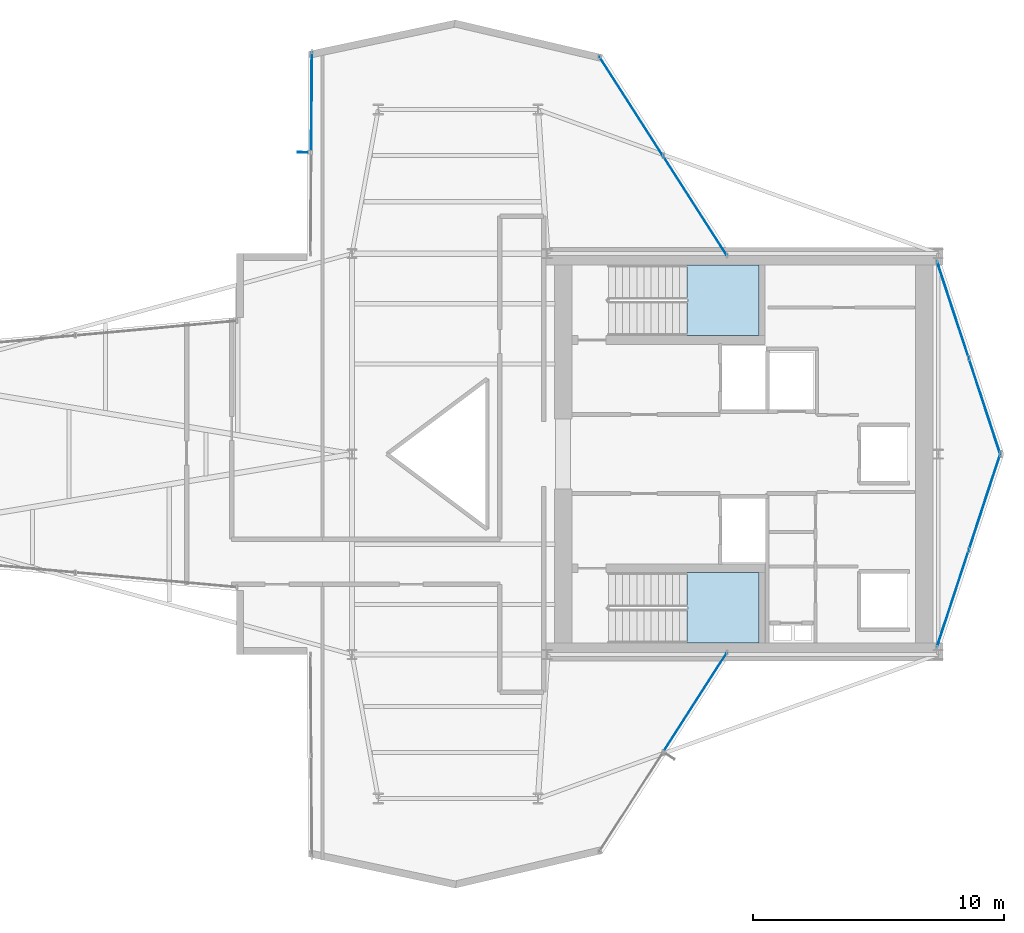
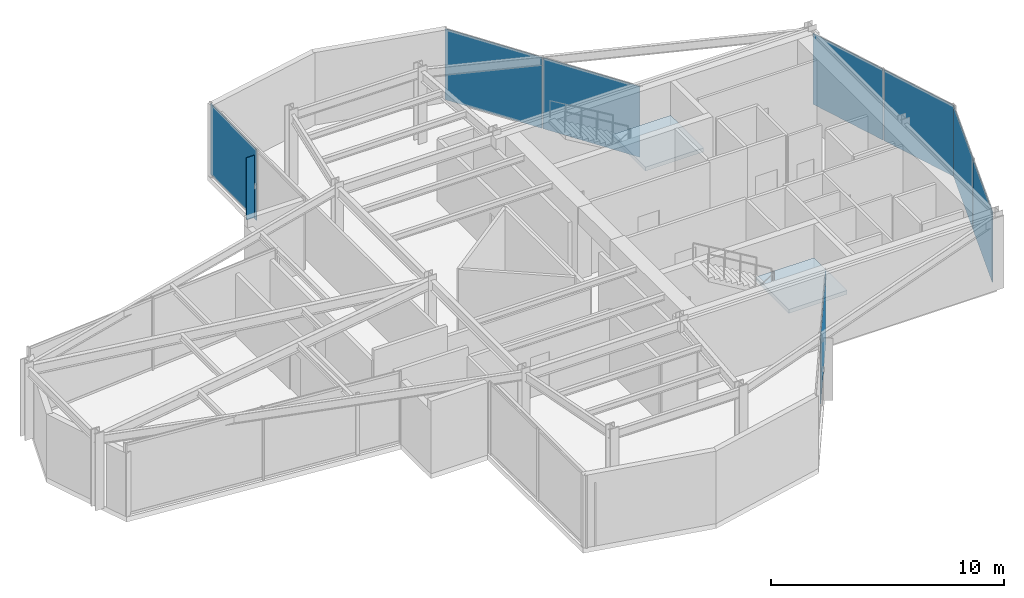
# One storey, part 20 of 23: 9 plates, 2 slabs, 7 elements without a shape of their own.
"""IFC4 building model written with IfcOpenShell, lengths in metres."""

from ifc_helpers import new_model, si_unit, direction, frame, origin, origin_2d, place, context, subcontext, project, spatial, polyline, rectangle, outline, extrude, material, layer, layer_set, type_object, element, aggregate, save


model = new_model("IFC4")

# Units and contexts
model_context = context("Model", 3, precision=1e-05, world=origin(), true_north=direction((0.0, 1.0)))
body_context = subcontext(model_context, "Body", "Model", "MODEL_VIEW")
ifc_project = project(units=[si_unit("LENGTHUNIT", "METRE"), si_unit("AREAUNIT", "SQUARE_METRE"), si_unit("VOLUMEUNIT", "CUBIC_METRE"), si_unit("PLANEANGLEUNIT", "RADIAN"), si_unit("MASSUNIT", "GRAM", prefix="KILO")], contexts=[model_context])

# Site, building, storey
site_placement = place(None, origin())
site = spatial("IfcSite", under=ifc_project, at=site_placement, CompositionType="ELEMENT")
building_placement = place(site_placement, origin())
building = spatial("IfcBuilding", under=site, at=building_placement, Name="Veymaron Broadcast Tower", CompositionType="ELEMENT")
storey_placement = place(building_placement, frame((0.0, 0.0, 195.89990234375)))
storey = spatial("IfcBuildingStorey", under=building, at=storey_placement, Name="L45", CompositionType="ELEMENT", Elevation=195.89990234375)

# Curtain wall, plates
ifc_material_1 = material(Name="Anodised aluminium AA 6063-T6 and laminated low-E dark glass", Category="aluminium")
ifc_layer_1 = layer(ifc_material_1, 0.179931640625)
ifc_layer_set_1 = layer_set([ifc_layer_1], Name="Anodised aluminium AA 6063-T6 and laminated low-E dark glass")
curtain_wall_type = type_object("IfcCurtainWallType", Name="CW-SYS-05", PredefinedType="NOTDEFINED", material=ifc_layer_set_1)
curtain_wall_1_placement = place(storey_placement, origin())
curtain_wall_1 = element("IfcCurtainWall", 1, at=curtain_wall_1_placement, inside=storey, type_object=curtain_wall_type, Name="L45 dark-glass curtain wall CW-L45-E2-1", PredefinedType="NOTDEFINED")
ifc_material_2 = material(Name="Double-silver solar-control dark glass IGU 32 mm", Category="glass")
ifc_layer_2 = layer(ifc_material_2, 0.031982421875)
ifc_layer_set_2 = layer_set([ifc_layer_2], Name="Double-silver solar-control dark glass IGU 32 mm")
plate_type_1 = type_object("IfcPlateType", Name="CW-PNL-02", PredefinedType="CURTAIN_PANEL", material=ifc_layer_set_2)
plate_1_placement = place(storey_placement, frame((55.18359375, 18.227294921875, 0.0400390625), z_axis=(0.0, 0.0, 1.0), x_axis=(0.311771138789, 0.950157227525, 0.0)))
plate_1 = element("IfcPlate", 2, at=plate_1_placement, type_object=plate_type_1, Name="CW-L45-E2-1 unitised curtain panel 0", PredefinedType="CURTAIN_PANEL", context=body_context, shape_type="SweptSolid", body=[
    extrude(rectangle(XDim=4.02099609375, YDim=0.031982421875, at=origin_2d()), origin(), (0.0, 0.0, 1.0), 3.7099609375),
])
plate_2_placement = place(storey_placement, frame((56.455810546875, 22.104736328125, 0.0400390625), z_axis=(0.0, 0.0, 1.0), x_axis=(0.311771138789, 0.950157227525, 0.0)))
plate_2 = element("IfcPlate", 3, at=plate_2_placement, type_object=plate_type_1, Name="CW-L45-E2-1 unitised curtain panel 1", PredefinedType="CURTAIN_PANEL", context=body_context, shape_type="SweptSolid", body=[
    extrude(rectangle(XDim=4.02099609375, YDim=0.031982421875, at=origin_2d()), origin(), (0.0, 0.0, 1.0), 3.7099609375),
])
aggregate(curtain_wall_1, [plate_1, plate_2])

curtain_wall_2_placement = place(storey_placement, origin())
curtain_wall_2 = element("IfcCurtainWall", 4, at=curtain_wall_2_placement, inside=storey, type_object=curtain_wall_type, Name="L45 dark-glass curtain wall CW-L45-E3-1", PredefinedType="NOTDEFINED")
plate_3_placement = place(storey_placement, frame((56.455810546875, 25.895263671875, 0.0400390625), z_axis=(0.0, 0.0, 1.0), x_axis=(-0.311771138789, 0.950157227525, 0.0)))
plate_3 = element("IfcPlate", 5, at=plate_3_placement, type_object=plate_type_1, Name="CW-L45-E3-1 unitised curtain panel 0", PredefinedType="CURTAIN_PANEL", context=body_context, shape_type="SweptSolid", body=[
    extrude(rectangle(XDim=4.02099609375, YDim=0.031982421875, at=origin_2d()), origin(), (0.0, 0.0, 1.0), 3.7099609375),
])
plate_4_placement = place(storey_placement, frame((55.18359375, 29.772705078125, 0.0400390625), z_axis=(0.0, 0.0, 1.0), x_axis=(-0.311771138789, 0.950157227525, 0.0)))
plate_4 = element("IfcPlate", 6, at=plate_4_placement, type_object=plate_type_1, Name="CW-L45-E3-1 unitised curtain panel 1", PredefinedType="CURTAIN_PANEL", context=body_context, shape_type="SweptSolid", body=[
    extrude(rectangle(XDim=4.02099609375, YDim=0.031982421875, at=origin_2d()), origin(), (0.0, 0.0, 1.0), 3.7099609375),
])
aggregate(curtain_wall_2, [plate_3, plate_4])

curtain_wall_3_placement = place(storey_placement, origin())
curtain_wall_3 = element("IfcCurtainWall", 7, at=curtain_wall_3_placement, inside=storey, type_object=curtain_wall_type, Name="L45 dark-glass curtain wall CW-L45-E5-1", PredefinedType="NOTDEFINED")
plate_5_placement = place(storey_placement, frame((44.89404296875, 33.911865234375, 0.0400390625), z_axis=(0.0, 0.0, 1.0), x_axis=(-0.539961235236, 0.841689886147, 0.0)))
plate_5 = element("IfcPlate", 8, at=plate_5_placement, type_object=plate_type_1, Name="CW-L45-E5-1 unitised curtain panel 0", PredefinedType="CURTAIN_PANEL", context=body_context, shape_type="SweptSolid", body=[
    extrude(rectangle(XDim=4.66259765625, YDim=0.031982421875, at=origin_2d()), origin(), (0.0, 0.0, 1.0), 3.7099609375),
])
plate_6_placement = place(storey_placement, frame((42.343994140625, 37.886962890625, 0.0400390625), z_axis=(0.0, 0.0, 1.0), x_axis=(-0.539961235236, 0.841689886147, 0.0)))
plate_6 = element("IfcPlate", 9, at=plate_6_placement, type_object=plate_type_1, Name="CW-L45-E5-1 unitised curtain panel 1", PredefinedType="CURTAIN_PANEL", context=body_context, shape_type="SweptSolid", body=[
    extrude(rectangle(XDim=4.66259765625, YDim=0.031982421875, at=origin_2d()), origin(), (0.0, 0.0, 1.0), 3.7099609375),
])
aggregate(curtain_wall_3, [plate_5, plate_6])

# Curtain wall, plate
curtain_wall_4_placement = place(storey_placement, origin())
curtain_wall_4 = element("IfcCurtainWall", 10, at=curtain_wall_4_placement, inside=storey, type_object=curtain_wall_type, Name="L45 dark-glass curtain wall CW-L45-E8-1", PredefinedType="NOTDEFINED")
plate_7_placement = place(storey_placement, frame((29.5888671875, 38.055419921875, 0.0400390625), z_axis=(0.0, 0.0, 1.0), x_axis=(-0.007138336016, -0.999974521755, 0.0)))
plate_7 = element("IfcPlate", 11, at=plate_7_placement, type_object=plate_type_1, Name="CW-L45-E8-1 unitised curtain panel 0", PredefinedType="CURTAIN_PANEL", context=body_context, shape_type="SweptSolid", body=[
    extrude(rectangle(XDim=3.9775390625, YDim=0.031982421875, at=origin_2d()), origin(), (0.0, 0.0, 1.0), 3.7099609375),
])
aggregate(curtain_wall_4, [plate_7])

curtain_wall_5_placement = place(storey_placement, origin())
curtain_wall_5 = element("IfcCurtainWall", 12, at=curtain_wall_5_placement, inside=storey, type_object=curtain_wall_type, Name="L45 dark-glass curtain wall CW-L45-E20-1", PredefinedType="NOTDEFINED")
plate_8_placement = place(storey_placement, frame((44.89404296875, 14.088134765625, 0.0400390625), z_axis=(0.0, 0.0, 1.0), x_axis=(0.539961235236, 0.841689886147, 0.0)))
plate_8 = element("IfcPlate", 13, at=plate_8_placement, type_object=plate_type_1, Name="CW-L45-E20-1 unitised curtain panel 1", PredefinedType="CURTAIN_PANEL", context=body_context, shape_type="SweptSolid", body=[
    extrude(rectangle(XDim=4.66259765625, YDim=0.031982421875, at=origin_2d()), origin(), (0.0, 0.0, 1.0), 3.7099609375),
])
aggregate(curtain_wall_5, [plate_8])

# Plate
ifc_material_3 = material(Name="Dark-anodised aluminium AA 6061-T6", Category="aluminium")
ifc_layer_3 = layer(ifc_material_3, 0.031982421875)
ifc_layer_set_3 = layer_set([ifc_layer_3], Name="Dark-anodised aluminium AA 6061-T6")
plate_type_2 = type_object("IfcPlateType", Name="FIN-CHEV-03", PredefinedType="USERDEFINED", material=ifc_layer_set_3)
plate_9_placement = place(storey_placement, frame((29.244384765625, 36.038818359375, 0.26513671875), z_axis=(0.0, 0.0, 1.0), x_axis=(-0.999974521755, 0.007138336016, 0.0)))
element("IfcPlate", 14, at=plate_9_placement, inside=storey, type_object=plate_type_2, Name="CW-L45-E8-1 chevron fin 1", ObjectType="FIN", PredefinedType="USERDEFINED", context=body_context, shape_type="SweptSolid", body=[
    extrude(rectangle(XDim=0.39990234375, YDim=0.034912109375, at=origin_2d()), origin(), (0.0, 0.0, 1.0), 3.259521484375),
])

# Stair, slab
ifc_material_4 = material(Name="Concrete C50/60", Category="concrete")
stair_type_1 = type_object("IfcStairType", Name="STAIR-CORE-1", PredefinedType="HALF_TURN_STAIR", material=ifc_material_4)
stair_1_placement = place(storey_placement, origin())
stair_1 = element("IfcStair", 15, at=stair_1_placement, inside=storey, type_object=stair_type_1, Name="L45 North protected dog-leg exit stair ST1", PredefinedType="HALF_TURN_STAIR")
ifc_layer_4 = layer(ifc_material_4, 0.199951171875)
ifc_layer_set_4 = layer_set([ifc_layer_4], Name="Concrete C50/60")
slab_type = type_object("IfcSlabType", Name="SLAB-STAIR-LDG", PredefinedType="LANDING", material=ifc_layer_set_4)
slab_1_placement = place(storey_placement, frame((0.0, 0.0, 1.8251953125)))
slab_1 = element("IfcSlab", 16, at=slab_1_placement, type_object=slab_type, Name="ST1 landing 1", PredefinedType="LANDING", context=body_context, shape_type="SweptSolid", body=[
    extrude(outline(polyline([(44.56494140625, 28.72998046875), (47.43994140625, 28.72998046875), (47.43994140625, 31.550048828125), (44.56494140625, 31.550048828125), (44.56494140625, 28.72998046875)])), origin(), (0.0, 0.0, 1.0), 0.199951171875),
])
aggregate(stair_1, [slab_1])

stair_type_2 = type_object("IfcStairType", Name="STAIR-CORE-2", PredefinedType="HALF_TURN_STAIR", material=ifc_material_4)
stair_2_placement = place(storey_placement, origin())
stair_2 = element("IfcStair", 17, at=stair_2_placement, inside=storey, type_object=stair_type_2, Name="L45 South protected dog-leg exit stair ST2", PredefinedType="HALF_TURN_STAIR")
slab_2_placement = place(storey_placement, frame((0.0, 0.0, 1.8251953125)))
slab_2 = element("IfcSlab", 18, at=slab_2_placement, type_object=slab_type, Name="ST2 landing 1", PredefinedType="LANDING", context=body_context, shape_type="SweptSolid", body=[
    extrude(outline(polyline([(44.56494140625, 16.449951171875), (47.43994140625, 16.449951171875), (47.43994140625, 19.27001953125), (44.56494140625, 19.27001953125), (44.56494140625, 16.449951171875)])), origin(), (0.0, 0.0, 1.0), 0.199951171875),
])
aggregate(stair_2, [slab_2])

save(model, "model.ifc")
